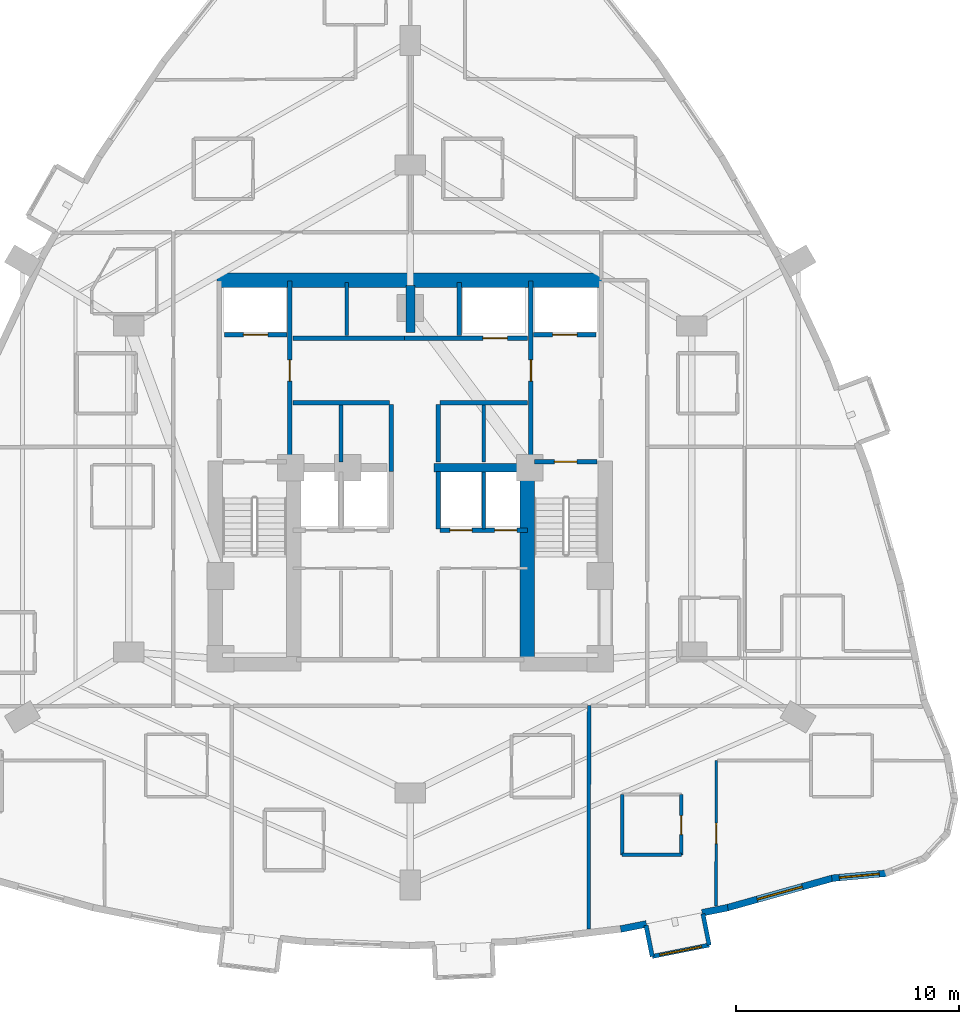
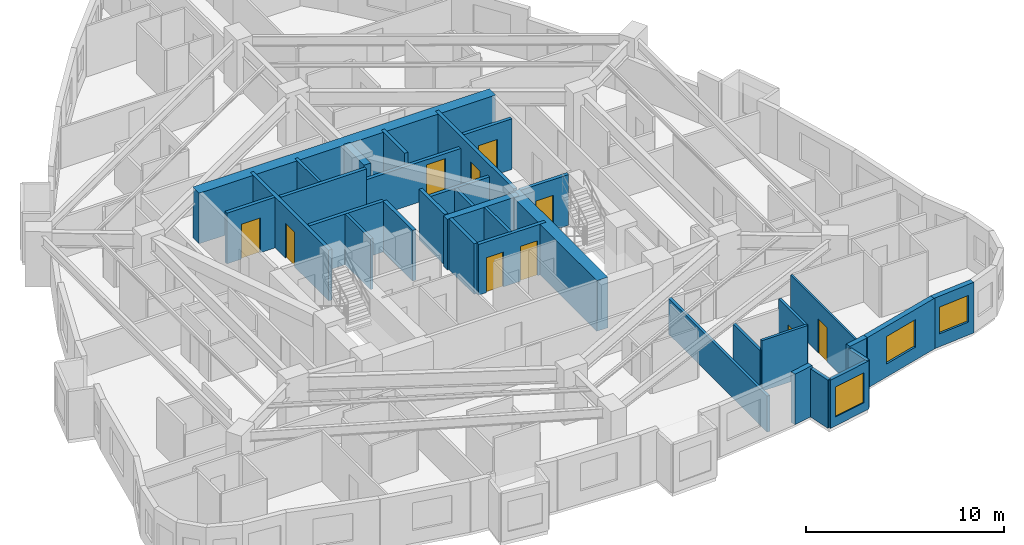
# One storey, part 8 of 13: 34 walls, 10 doors, 3 windows, 13 openings.
"""IFC4 building model written with IfcOpenShell, lengths in metres."""

from ifc_helpers import new_model, si_unit, direction, frame, frame_2d, origin, place, context, subcontext, project, spatial, rectangle, extrude, material, layer, layer_set, type_object, element, fill, save


model = new_model("IFC4")

# Units and contexts
model_context = context("Model", 3, precision=1e-05, world=origin(), true_north=direction((0.0, 1.0)))
body_context = subcontext(model_context, "Body", "Model", "MODEL_VIEW")
ifc_project = project(units=[si_unit("LENGTHUNIT", "METRE"), si_unit("AREAUNIT", "SQUARE_METRE"), si_unit("VOLUMEUNIT", "CUBIC_METRE"), si_unit("PLANEANGLEUNIT", "RADIAN"), si_unit("MASSUNIT", "GRAM", prefix="KILO")], contexts=[model_context])

# Site, building, storey
site_placement = place(None, origin())
site = spatial("IfcSite", under=ifc_project, at=site_placement, CompositionType="ELEMENT")
building_placement = place(site_placement, origin())
building = spatial("IfcBuilding", under=site, at=building_placement, Name="Miruveldt Soraemaru", CompositionType="ELEMENT")
storey_placement = place(building_placement, frame((0.0, 0.0, 70.0)))
storey = spatial("IfcBuildingStorey", under=building, at=storey_placement, Name="L19", CompositionType="ELEMENT", Elevation=70.0)

# Walls
ifc_material_1 = material(Name="White powder-coated aluminium EN AW-6060 T6", Category="aluminium")
ifc_layer_1 = layer(ifc_material_1, 0.18994140625, Name="White powder-coated aluminium EN AW-6060 T6", Category="aluminium")
ifc_layer_set_1 = layer_set([ifc_layer_1], Name="White powder-coated aluminium EN AW-6060 T6")
wall_type_1 = type_object("IfcWallType", Name="WALL-BAY-ALU190", PredefinedType="SOLIDWALL", material=ifc_layer_set_1)
for number, where, z_axis, x_axis, name in (
    (1, (54.548583984375, 23.576171875, 0.0), (0.0, 0.0, 1.0), (0.196149079112, -0.980574086321, 0.0), "L19 Bay Window Side Cheek 5L"),
    (2, (57.377685546875, 22.688720703125, 0.0), (0.0, 0.0, 1.0), (-0.195984352603, 0.980607022989, 0.0), "L19 Bay Window Side Cheek 5R"),
):
    element("IfcWall", number, at=place(storey_placement, frame(where, z_axis=z_axis, x_axis=x_axis)), inside=storey, type_object=wall_type_1, Name=name, PredefinedType="SOLIDWALL", context=body_context, shape_type="SweptSolid", body=[
        extrude(rectangle(XDim=1.425048828125, YDim=0.18994140625, at=frame_2d((0.71240234375, 0.0))), origin(), (0.0, 0.0, 1.0), 2.97509765625),
    ])

# Wall, opening, window
wall_1_placement = place(storey_placement, frame((54.828125, 22.1787109375, 0.0), z_axis=(0.0, 0.0, 1.0), x_axis=(0.980573452128, 0.196152249497, 0.0)))
wall_1 = element("IfcWall", 3, at=wall_1_placement, inside=storey, type_object=wall_type_1, Name="L19 Bay Window Front Frame 5", PredefinedType="SOLIDWALL", context=body_context, shape_type="SweptSolid", body=[
    extrude(rectangle(XDim=2.60009765625, YDim=0.18994140625, at=frame_2d((1.300048828125, 0.0))), origin(), (0.0, 0.0, 1.0), 2.97509765625),
])
opening_1_placement = place(wall_1_placement, frame((0.35009765625, 0.0, 0.550048828125)))
opening_1 = element("IfcOpeningElement", 4, at=opening_1_placement, cuts=wall_1, Name="Opening WN-6", PredefinedType="OPENING", context=body_context, shape_type="SweptSolid", body=[
    extrude(rectangle(XDim=1.89990234375, YDim=1.85009765625, at=frame_2d((0.949951171875, 0.925048828125))), frame((0.0, 0.10498046875, 0.0), z_axis=(0.0, -1.0, 0.0), x_axis=(1.0, 0.0, 0.0)), (0.0, 0.0, 1.0), 0.2099609375),
])
ifc_material_2 = material(Name="Triple low-e insulated glazing", Category="glass")
window_type_1 = type_object("IfcWindowType", Name="WIN-BAYW-1900x1850", PartitioningType="SINGLE_PANEL", PredefinedType="WINDOW", material=ifc_material_2)
window_1_placement = place(opening_1_placement, origin())
window_1 = element("IfcWindow", 5, at=window_1_placement, inside=storey, type_object=window_type_1, Name="L19 Projecting Bay Window 5", OverallHeight=1.85009765625, OverallWidth=1.89990234375, PartitioningType="SINGLE_PANEL", PredefinedType="WINDOW", context=body_context, shape_type="SweptSolid", body=[
    extrude(rectangle(XDim=1.89990234375, YDim=1.85009765625, at=frame_2d((0.949951171875, 0.925048828125))), frame((0.0, 0.030029296875, 0.0), z_axis=(0.0, -1.0, 0.0), x_axis=(1.0, 0.0, 0.0)), (0.0, 0.0, 1.0), 0.06005859375),
])
fill(opening_1, window_1)

# Walls
ifc_material_3 = material(Name="Concrete C70/85 (70 MPa)", Category="concrete")
ifc_layer_2 = layer(ifc_material_3, 0.5, Name="Concrete C70/85 (70 MPa)", Category="concrete")
ifc_layer_set_2 = layer_set([ifc_layer_2], Name="Concrete C70/85 (70 MPa)")
wall_type_2 = type_object("IfcWallType", Name="WALL-BW-500", PredefinedType="SHEAR", material=ifc_layer_set_2)
wall_2_placement = place(storey_placement, frame((44.0, 50.10009765625, 0.0), z_axis=(0.0, 0.0, 1.0), x_axis=(0.0, 1.0, 0.0)))
element("IfcWall", 6, at=wall_2_placement, inside=storey, type_object=wall_type_2, Name="L19 Core Buttress Shear Wall BN", PredefinedType="SHEAR", context=body_context, shape_type="SweptSolid", body=[
    extrude(rectangle(XDim=2.099853515625, YDim=0.39990234375, at=frame_2d((1.0498046875, 0.0))), origin(), (0.0, 0.0, 1.0), 3.125),
])
wall_3_placement = place(storey_placement, frame((45.050048828125, 44.050048828125, 0.0), z_axis=(0.0, 0.0, 1.0), x_axis=(1.0, 0.0, 0.0)))
element("IfcWall", 7, at=wall_3_placement, inside=storey, type_object=wall_type_2, Name="L19 Core Buttress Shear Wall BE", PredefinedType="SHEAR", context=body_context, shape_type="SweptSolid", body=[
    extrude(rectangle(XDim=4.199951171875, YDim=0.39990234375, at=frame_2d((2.10009765625, 0.0))), origin(), (0.0, 0.0, 1.0), 3.125),
])
ifc_material_4 = material(Name="Concrete C80/95 (80 MPa)", Category="concrete")
ifc_layer_3 = layer(ifc_material_4, 0.64990234375, Name="Concrete C80/95 (80 MPa)", Category="concrete")
ifc_layer_set_3 = layer_set([ifc_layer_3], Name="Concrete C80/95 (80 MPa)")
wall_type_3 = type_object("IfcWallType", Name="WALL-CW-650", PredefinedType="SHEAR", material=ifc_layer_set_3)
wall_4_placement = place(storey_placement, frame((35.35009765625, 52.449951171875, 0.0), z_axis=(0.0, 0.0, 1.0), x_axis=(1.0, 0.0, 0.0)))
element("IfcWall", 8, at=wall_4_placement, inside=storey, type_object=wall_type_3, Name="L19 Central Core Shear Wall N", PredefinedType="SHEAR", context=body_context, shape_type="SweptSolid", body=[
    extrude(rectangle(XDim=17.2998046875, YDim=0.64990234375, at=frame_2d((8.64990234375, 0.0))), origin(), (0.0, 0.0, 1.0), 3.125),
])
wall_5_placement = place(storey_placement, frame((49.22509765625, 35.39990234375, 0.0), z_axis=(0.0, 0.0, 1.0), x_axis=(0.0, 1.0, 0.0)))
element("IfcWall", 9, at=wall_5_placement, inside=storey, type_object=wall_type_3, Name="L19 Central Core Shear Wall SE-INT", PredefinedType="SHEAR", context=body_context, shape_type="SweptSolid", body=[
    extrude(rectangle(XDim=8.9501953125, YDim=0.64990234375, at=frame_2d((4.47509765625, 0.0))), origin(), (0.0, 0.0, 1.0), 3.125),
])
ifc_material_5 = material(Name="Precast concrete C45/55 (45 MPa)", Category="concrete")
ifc_layer_4 = layer(ifc_material_5, 0.300048828125, Name="Precast concrete C45/55 (45 MPa)", Category="concrete")
ifc_layer_set_4 = layer_set([ifc_layer_4], Name="Precast concrete C45/55 (45 MPa)")
wall_type_4 = type_object("IfcWallType", Name="WALL-EXT-PC300", PredefinedType="SOLIDWALL", material=ifc_layer_set_4)
for number, where, z_axis, x_axis, name in (
    (10, (53.416015625, 23.405517578125, 0.0), (0.0, 0.0, 1.0), (0.980548675022, 0.196276070657, 0.0), "L19 Precast Pier Wall 27A"),
    (11, (57.05810546875, 24.134033203125, 0.0), (0.0, 0.0, 1.0), (0.980548675022, 0.196276070657, 0.0), "L19 Precast Pier Wall 27B"),
):
    element("IfcWall", number, at=place(storey_placement, frame(where, z_axis=z_axis, x_axis=x_axis)), inside=storey, type_object=wall_type_4, Name=name, PredefinedType="SOLIDWALL", context=body_context, shape_type="SweptSolid", body=[
        extrude(rectangle(XDim=1.17431640625, YDim=0.300048828125, at=frame_2d((0.587158203125, 0.0))), origin(), (0.0, 0.0, 1.0), 3.125),
    ])

# Wall, opening, window
wall_6_placement = place(storey_placement, frame((58.1416015625, 24.34814453125, 0.0), z_axis=(0.0, 0.0, 1.0), x_axis=(0.962969114378, 0.269611729629, 0.0)))
wall_6 = element("IfcWall", 12, at=wall_6_placement, inside=storey, type_object=wall_type_4, Name="L19 Precast Concrete Facade Wall 28", PredefinedType="SOLIDWALL", context=body_context, shape_type="SweptSolid", body=[
    extrude(rectangle(XDim=4.976806640625, YDim=0.300048828125, at=frame_2d((2.48828125, 0.0))), origin(), (0.0, 0.0, 1.0), 3.125),
])
opening_2_placement = place(wall_6_placement, frame((1.43798828125, 0.0, 0.800048828125)))
opening_2 = element("IfcOpeningElement", 13, at=opening_2_placement, cuts=wall_6, Name="Opening WN-1", PredefinedType="OPENING", context=body_context, shape_type="SweptSolid", body=[
    extrude(rectangle(XDim=2.10009765625, YDim=1.699951171875, at=frame_2d((1.050048828125, 0.85009765625))), frame((0.0, 0.16015625, 0.0), z_axis=(0.0, -1.0, 0.0), x_axis=(1.0, 0.0, 0.0)), (0.0, 0.0, 1.0), 0.320068359375),
])
window_type_2 = type_object("IfcWindowType", Name="WIN-PUNCH-2100x1700", PartitioningType="SINGLE_PANEL", PredefinedType="WINDOW", material=ifc_material_2)
window_2_placement = place(opening_2_placement, origin())
window_2 = element("IfcWindow", 14, at=window_2_placement, inside=storey, type_object=window_type_2, Name="L19 Punched Triple-Glazed Window 28.1", OverallHeight=1.699951171875, OverallWidth=2.10009765625, PartitioningType="SINGLE_PANEL", PredefinedType="WINDOW", context=body_context, shape_type="SweptSolid", body=[
    extrude(rectangle(XDim=2.10009765625, YDim=1.699951171875, at=frame_2d((1.050048828125, 0.85009765625))), frame((0.0, 0.030029296875, 0.0), z_axis=(0.0, -1.0, 0.0), x_axis=(1.0, 0.0, 0.0)), (0.0, 0.0, 1.0), 0.06005859375),
])
fill(opening_2, window_2)

wall_7_placement = place(storey_placement, frame((62.865478515625, 25.677490234375, 0.0), z_axis=(0.0, 0.0, 1.0), x_axis=(0.995765843862, 0.091925971292, 0.0)))
wall_7 = element("IfcWall", 15, at=wall_7_placement, inside=storey, type_object=wall_type_4, Name="L19 Precast Concrete Facade Wall 29", PredefinedType="SOLIDWALL", context=body_context, shape_type="SweptSolid", body=[
    extrude(rectangle(XDim=2.469970703125, YDim=0.300048828125, at=frame_2d((1.23486328125, 0.0))), origin(), (0.0, 0.0, 1.0), 3.125),
])
opening_3_placement = place(wall_7_placement, frame((0.3349609375, 0.0, 0.800048828125)))
opening_3 = element("IfcOpeningElement", 16, at=opening_3_placement, cuts=wall_7, Name="Opening WN-2", PredefinedType="OPENING", context=body_context, shape_type="SweptSolid", body=[
    extrude(rectangle(XDim=1.800048828125, YDim=1.64990234375, at=frame_2d((0.89990234375, 0.824951171875))), frame((0.0, 0.16015625, 0.0), z_axis=(0.0, -1.0, 0.0), x_axis=(1.0, 0.0, 0.0)), (0.0, 0.0, 1.0), 0.320068359375),
])
window_type_3 = type_object("IfcWindowType", Name="WIN-PUNCH-1800x1650", PartitioningType="SINGLE_PANEL", PredefinedType="WINDOW", material=ifc_material_2)
window_3_placement = place(opening_3_placement, origin())
window_3 = element("IfcWindow", 17, at=window_3_placement, inside=storey, type_object=window_type_3, Name="L19 Punched Triple-Glazed Window 29.1", OverallHeight=1.64990234375, OverallWidth=1.800048828125, PartitioningType="SINGLE_PANEL", PredefinedType="WINDOW", context=body_context, shape_type="SweptSolid", body=[
    extrude(rectangle(XDim=1.800048828125, YDim=1.64990234375, at=frame_2d((0.89990234375, 0.824951171875))), frame((0.0, 0.030029296875, 0.0), z_axis=(0.0, -1.0, 0.0), x_axis=(1.0, 0.0, 0.0)), (0.0, 0.0, 1.0), 0.06005859375),
])
fill(opening_3, window_3)

# Wall, opening, door
ifc_material_6 = material(Name="Gypsum plasterboard lining", Category="gypsum")
ifc_layer_5 = layer(ifc_material_6, 0.1201171875, Name="Gypsum plasterboard lining", Category="gypsum")
ifc_layer_set_5 = layer_set([ifc_layer_5], Name="Gypsum plasterboard lining")
wall_type_5 = type_object("IfcWallType", Name="WALL-INT-P120", PredefinedType="PARTITIONING", material=ifc_layer_set_5)
wall_8_placement = place(storey_placement, frame((57.680908203125, 24.427001953125, 0.0), z_axis=(0.0, 0.0, 1.0), x_axis=(0.002619947592, 0.999996567931, 0.0)))
wall_8 = element("IfcWall", 18, at=wall_8_placement, inside=storey, type_object=wall_type_5, Name="L19 Partition Wall 109", PredefinedType="PARTITIONING", context=body_context, shape_type="SweptSolid", body=[
    extrude(rectangle(XDim=6.52294921875, YDim=0.1201171875, at=frame_2d((3.261474609375, 0.0))), origin(), (0.0, 0.0, 1.0), 3.125),
])
opening_4_placement = place(wall_8_placement, frame((2.802001953125, 0.0, 0.0)))
opening_4 = element("IfcOpeningElement", 19, at=opening_4_placement, cuts=wall_8, Name="Opening D3A", PredefinedType="OPENING", context=body_context, shape_type="SweptSolid", body=[
    extrude(rectangle(XDim=0.919921875, YDim=2.10009765625, at=frame_2d((0.4599609375, 1.050048828125))), frame((0.0, 0.070068359375, 0.0), z_axis=(0.0, -1.0, 0.0), x_axis=(1.0, 0.0, 0.0)), (0.0, 0.0, 1.0), 0.14013671875),
])
ifc_material_7 = material(Name="Anodised aluminium EN AW-6063 T6", Category="aluminium")
door_type_1 = type_object("IfcDoorType", Name="DOOR-INT-920", OperationType="NOTDEFINED", PredefinedType="DOOR", material=ifc_material_7)
door_1_placement = place(opening_4_placement, origin())
door_1 = element("IfcDoor", 20, at=door_1_placement, inside=storey, type_object=door_type_1, Name="L19 Unit 1909 BD1 Door", OperationType="SINGLE_SWING_LEFT", OverallHeight=2.10009765625, OverallWidth=0.919921875, PredefinedType="DOOR", context=body_context, shape_type="SweptSolid", body=[
    extrude(rectangle(XDim=0.919921875, YDim=2.10009765625, at=frame_2d((0.4599609375, 1.050048828125))), frame((0.0, 0.02490234375, 0.0), z_axis=(0.0, -1.0, 0.0), x_axis=(1.0, 0.0, 0.0)), (0.0, 0.0, 1.0), 0.050048828125),
])
fill(opening_4, door_1)

ifc_layer_6 = layer(ifc_material_6, 0.14990234375, Name="Gypsum plasterboard lining", Category="gypsum")
ifc_layer_set_6 = layer_set([ifc_layer_6], Name="Gypsum plasterboard lining")
wall_type_6 = type_object("IfcWallType", Name="WALL-INT-PLUMB", PredefinedType="PLUMBINGWALL", material=ifc_layer_set_6)
wall_9_placement = place(storey_placement, frame((56.1298828125, 26.72705078125, 0.0), z_axis=(0.0, 0.0, 1.0), x_axis=(0.0, 1.0, 0.0)))
wall_9 = element("IfcWall", 21, at=wall_9_placement, inside=storey, type_object=wall_type_6, Name="L19 Partition Wall 102", PredefinedType="PLUMBINGWALL", context=body_context, shape_type="SweptSolid", body=[
    extrude(rectangle(XDim=2.699951171875, YDim=0.14990234375, at=frame_2d((1.35009765625, 0.0))), origin(), (0.0, 0.0, 1.0), 3.125),
])
opening_5_placement = place(wall_9_placement, frame((0.909912109375, 0.0, 0.0)))
opening_5 = element("IfcOpeningElement", 22, at=opening_5_placement, cuts=wall_9, Name="Opening FD3", PredefinedType="OPENING", context=body_context, shape_type="SweptSolid", body=[
    extrude(rectangle(XDim=0.85009765625, YDim=2.10009765625, at=frame_2d((0.425048828125, 1.050048828125))), frame((0.0, 0.0849609375, 0.0), z_axis=(0.0, -1.0, 0.0), x_axis=(1.0, 0.0, 0.0)), (0.0, 0.0, 1.0), 0.169921875),
])
door_type_2 = type_object("IfcDoorType", Name="DOOR-FD3-850", OperationType="NOTDEFINED", PredefinedType="DOOR", material=ifc_material_7)
door_2_placement = place(opening_5_placement, origin())
door_2 = element("IfcDoor", 23, at=door_2_placement, inside=storey, type_object=door_type_2, Name="L19 Unit 1909 BTH Door", OperationType="SINGLE_SWING_LEFT", OverallHeight=2.10009765625, OverallWidth=0.85009765625, PredefinedType="DOOR", context=body_context, shape_type="SweptSolid", body=[
    extrude(rectangle(XDim=0.85009765625, YDim=2.10009765625, at=frame_2d((0.425048828125, 1.050048828125))), frame((0.0, 0.02490234375, 0.0), z_axis=(0.0, -1.0, 0.0), x_axis=(1.0, 0.0, 0.0)), (0.0, 0.0, 1.0), 0.050048828125),
])
fill(opening_5, door_2)

# Walls
wall_10_placement = place(storey_placement, frame((53.47998046875, 29.427001953125, 0.0), z_axis=(0.0, 0.0, 1.0), x_axis=(0.0, -1.0, 0.0)))
element("IfcWall", 24, at=wall_10_placement, inside=storey, type_object=wall_type_6, Name="L19 Partition Wall 104", PredefinedType="PLUMBINGWALL", context=body_context, shape_type="SweptSolid", body=[
    extrude(rectangle(XDim=2.699951171875, YDim=0.14990234375, at=frame_2d((1.35009765625, 0.0))), origin(), (0.0, 0.0, 1.0), 2.512939453125),
])
wall_11_placement = place(storey_placement, frame((53.47998046875, 26.72705078125, 0.0), z_axis=(0.0, 0.0, 1.0), x_axis=(1.0, 0.0, 0.0)))
element("IfcWall", 25, at=wall_11_placement, inside=storey, type_object=wall_type_6, Name="L19 Partition Wall 105", PredefinedType="PLUMBINGWALL", context=body_context, shape_type="SweptSolid", body=[
    extrude(rectangle(XDim=2.64990234375, YDim=0.14990234375, at=frame_2d((1.324951171875, 0.0))), origin(), (0.0, 0.0, 1.0), 3.125),
])
ifc_material_8 = material(Name="Concrete C40/50 (40 MPa)", Category="concrete")
ifc_layer_7 = layer(ifc_material_8, 0.159912109375, Name="Concrete C40/50 (40 MPa)", Category="concrete")
ifc_layer_set_7 = layer_set([ifc_layer_7], Name="Concrete C40/50 (40 MPa)")
wall_type_7 = type_object("IfcWallType", Name="WALL-INT-RC160", PredefinedType="SOLIDWALL", material=ifc_layer_set_7)
wall_12_placement = place(storey_placement, frame((51.989990234375, 23.403076171875, 0.0), z_axis=(0.0, 0.0, 1.0), x_axis=(0.001001293854, 0.999999498705, 0.0)))
element("IfcWall", 26, at=wall_12_placement, inside=storey, type_object=wall_type_7, Name="L19 Partition Wall 101", PredefinedType="SOLIDWALL", context=body_context, shape_type="SweptSolid", body=[
    extrude(rectangle(XDim=9.996826171875, YDim=0.159912109375, at=frame_2d((4.99853515625, 0.0))), origin(), (0.0, 0.0, 1.0), 2.219970703125),
])
wall_13_placement = place(storey_placement, frame((40.89990234375, 44.300048828125, 0.0), z_axis=(0.0, 0.0, 1.0), x_axis=(0.0, 1.0, 0.0)))
element("IfcWall", 27, at=wall_13_placement, inside=storey, type_object=wall_type_7, Name="L19 Core Compartment Wall PLM-DW", PredefinedType="SOLIDWALL", context=body_context, shape_type="SweptSolid", body=[
    extrude(rectangle(XDim=2.550048828125, YDim=0.159912109375, at=frame_2d((1.27490234375, 0.0))), origin(), (0.0, 0.0, 1.0), 3.125),
])
wall_14_placement = place(storey_placement, frame((47.280029296875, 44.300048828125, 0.0), z_axis=(0.0, 0.0, 1.0), x_axis=(0.0, 1.0, 0.0)))
element("IfcWall", 28, at=wall_14_placement, inside=storey, type_object=wall_type_7, Name="L19 Core Compartment Wall PLM-DE", PredefinedType="SOLIDWALL", context=body_context, shape_type="SweptSolid", body=[
    extrude(rectangle(XDim=2.550048828125, YDim=0.159912109375, at=frame_2d((1.27490234375, 0.0))), origin(), (0.0, 0.0, 1.0), 2.462890625),
])
wall_15_placement = place(storey_placement, frame((47.280029296875, 41.320068359375, 0.0), z_axis=(0.0, 0.0, 1.0), x_axis=(0.0, 1.0, 0.0)))
element("IfcWall", 29, at=wall_15_placement, inside=storey, type_object=wall_type_7, Name="L19 Core Compartment Wall PLL-DE", PredefinedType="SOLIDWALL", context=body_context, shape_type="SweptSolid", body=[
    extrude(rectangle(XDim=2.530029296875, YDim=0.159912109375, at=frame_2d((1.26513671875, 0.0))), origin(), (0.0, 0.0, 1.0), 3.125),
])
wall_16_placement = place(storey_placement, frame((41.14990234375, 49.97998046875, 0.0), z_axis=(0.0, 0.0, 1.0), x_axis=(0.0, 1.0, 0.0)))
element("IfcWall", 30, at=wall_16_placement, inside=storey, type_object=wall_type_7, Name="L19 Core Compartment Wall PLH-DIV1", PredefinedType="SOLIDWALL", context=body_context, shape_type="SweptSolid", body=[
    extrude(rectangle(XDim=2.3701171875, YDim=0.159912109375, at=frame_2d((1.18505859375, 0.0))), origin(), (0.0, 0.0, 1.0), 3.125),
])

# Wall, opening, door
ifc_layer_8 = layer(ifc_material_8, 0.199951171875, Name="Concrete C40/50 (40 MPa)", Category="concrete")
ifc_layer_set_8 = layer_set([ifc_layer_8], Name="Concrete C40/50 (40 MPa)")
wall_type_8 = type_object("IfcWallType", Name="WALL-INT-RC200", PredefinedType="SOLIDWALL", material=ifc_layer_set_8)
wall_17_placement = place(storey_placement, frame((38.60009765625, 44.5, 0.0), z_axis=(0.0, 0.0, 1.0), x_axis=(0.0, 1.0, 0.0)))
wall_17 = element("IfcWall", 31, at=wall_17_placement, inside=storey, type_object=wall_type_8, Name="L19 Core Compartment Wall FFW-IN", PredefinedType="SOLIDWALL", context=body_context, shape_type="SweptSolid", body=[
    extrude(rectangle(XDim=7.919921875, YDim=0.199951171875, at=frame_2d((3.9599609375, 0.0))), origin(), (0.0, 0.0, 1.0), 3.125),
])
opening_6_placement = place(wall_17_placement, frame((3.425048828125, 0.0, 0.0)))
opening_6 = element("IfcOpeningElement", 32, at=opening_6_placement, cuts=wall_17, Name="Opening FD2", PredefinedType="OPENING", context=body_context, shape_type="SweptSolid", body=[
    extrude(rectangle(XDim=0.949951171875, YDim=2.14990234375, at=frame_2d((0.47509765625, 1.074951171875))), frame((0.0, 0.10986328125, 0.0), z_axis=(0.0, -1.0, 0.0), x_axis=(1.0, 0.0, 0.0)), (0.0, 0.0, 1.0), 0.219970703125),
])
door_type_3 = type_object("IfcDoorType", Name="DOOR-FD2-950", OperationType="NOTDEFINED", PredefinedType="DOOR", material=ifc_material_7)
door_3_placement = place(opening_6_placement, frame((0.949951171875, 0.0, 0.0), z_axis=(0.0, 0.0, 1.0), x_axis=(-1.0, 0.0, 0.0)))
door_3 = element("IfcDoor", 33, at=door_3_placement, inside=storey, type_object=door_type_3, Name="L19 Lift Lobby to West Fire Lobby Door", OperationType="SINGLE_SWING_RIGHT", OverallHeight=2.14990234375, OverallWidth=0.949951171875, PredefinedType="DOOR", context=body_context, shape_type="SweptSolid", body=[
    extrude(rectangle(XDim=0.949951171875, YDim=2.14990234375, at=frame_2d((0.47509765625, 1.074951171875))), frame((0.0, 0.02490234375, 0.0), z_axis=(0.0, -1.0, 0.0), x_axis=(1.0, 0.0, 0.0)), (0.0, 0.0, 1.0), 0.050048828125),
])
fill(opening_6, door_3)

wall_18_placement = place(storey_placement, frame((49.39990234375, 44.5, 0.0), z_axis=(0.0, 0.0, 1.0), x_axis=(0.0, 1.0, 0.0)))
wall_18 = element("IfcWall", 34, at=wall_18_placement, inside=storey, type_object=wall_type_8, Name="L19 Core Compartment Wall FFE-IN", PredefinedType="SOLIDWALL", context=body_context, shape_type="SweptSolid", body=[
    extrude(rectangle(XDim=7.919921875, YDim=0.199951171875, at=frame_2d((3.9599609375, 0.0))), origin(), (0.0, 0.0, 1.0), 3.125),
])
opening_7_placement = place(wall_18_placement, frame((3.425048828125, 0.0, 0.0)))
opening_7 = element("IfcOpeningElement", 35, at=opening_7_placement, cuts=wall_18, Name="Opening FD2", PredefinedType="OPENING", context=body_context, shape_type="SweptSolid", body=[
    extrude(rectangle(XDim=0.949951171875, YDim=2.14990234375, at=frame_2d((0.47509765625, 1.074951171875))), frame((0.0, 0.10986328125, 0.0), z_axis=(0.0, -1.0, 0.0), x_axis=(1.0, 0.0, 0.0)), (0.0, 0.0, 1.0), 0.219970703125),
])
door_4_placement = place(opening_7_placement, origin())
door_4 = element("IfcDoor", 36, at=door_4_placement, inside=storey, type_object=door_type_3, Name="L19 Lift Lobby to East Fire Lobby Door", OperationType="SINGLE_SWING_LEFT", OverallHeight=2.14990234375, OverallWidth=0.949951171875, PredefinedType="DOOR", context=body_context, shape_type="SweptSolid", body=[
    extrude(rectangle(XDim=0.949951171875, YDim=2.14990234375, at=frame_2d((0.47509765625, 1.074951171875))), frame((0.0, 0.02490234375, 0.0), z_axis=(0.0, -1.0, 0.0), x_axis=(1.0, 0.0, 0.0)), (0.0, 0.0, 1.0), 0.050048828125),
])
fill(opening_7, door_4)

wall_19_placement = place(storey_placement, frame((43.75, 49.85009765625, 0.0), z_axis=(0.0, 0.0, 1.0), x_axis=(1.0, 0.0, 0.0)))
wall_19 = element("IfcWall", 37, at=wall_19_placement, inside=storey, type_object=wall_type_8, Name="L19 Core Compartment Wall ROWA-SE", PredefinedType="SOLIDWALL", context=body_context, shape_type="SweptSolid", body=[
    extrude(rectangle(XDim=5.5, YDim=0.199951171875, at=frame_2d((2.75, 0.0))), origin(), (0.0, 0.0, 1.0), 2.462890625),
])
opening_8_placement = place(wall_19_placement, frame((3.5, 0.0, 0.0)))
opening_8 = element("IfcOpeningElement", 38, at=opening_8_placement, cuts=wall_19, Name="Opening LD2", PredefinedType="OPENING", context=body_context, shape_type="SweptSolid", body=[
    extrude(rectangle(XDim=1.10009765625, YDim=2.14990234375, at=frame_2d((0.550048828125, 1.074951171875))), frame((0.0, 0.10986328125, 0.0), z_axis=(0.0, -1.0, 0.0), x_axis=(1.0, 0.0, 0.0)), (0.0, 0.0, 1.0), 0.219970703125),
])
door_type_4 = type_object("IfcDoorType", Name="DOOR-LD2-1100", OperationType="SLIDING_TO_LEFT", PredefinedType="DOOR", material=ifc_material_7)
door_5_placement = place(opening_8_placement, origin())
door_5 = element("IfcDoor", 39, at=door_5_placement, inside=storey, type_object=door_type_4, Name="L19 SL-1 Landing Door", OperationType="SLIDING_TO_LEFT", OverallHeight=2.14990234375, OverallWidth=1.10009765625, PredefinedType="DOOR", context=body_context, shape_type="SweptSolid", body=[
    extrude(rectangle(XDim=1.10009765625, YDim=2.14990234375, at=frame_2d((0.550048828125, 1.074951171875))), frame((0.0, 0.02490234375, 0.0), z_axis=(0.0, -1.0, 0.0), x_axis=(1.0, 0.0, 0.0)), (0.0, 0.0, 1.0), 0.050048828125),
])
fill(opening_8, door_5)

# Wall, openings, doors
wall_20_placement = place(storey_placement, frame((45.320068359375, 41.25, 0.0), z_axis=(0.0, 0.0, 1.0), x_axis=(1.0, 0.0, 0.0)))
wall_20 = element("IfcWall", 40, at=wall_20_placement, inside=storey, type_object=wall_type_8, Name="L19 Core Compartment Wall LBE-S", PredefinedType="SOLIDWALL", context=body_context, shape_type="SweptSolid", body=[
    extrude(rectangle(XDim=3.929931640625, YDim=0.199951171875, at=frame_2d((1.96484375, 0.0))), origin(), (0.0, 0.0, 1.0), 3.125),
])
opening_9_placement = place(wall_20_placement, frame((0.449951171875, 0.0, 0.0)))
opening_9 = element("IfcOpeningElement", 41, at=opening_9_placement, cuts=wall_20, Name="Opening LD1B", PredefinedType="OPENING", context=body_context, shape_type="SweptSolid", body=[
    extrude(rectangle(XDim=1.0, YDim=2.14990234375, at=frame_2d((0.5, 1.074951171875))), frame((0.0, 0.10986328125, 0.0), z_axis=(0.0, -1.0, 0.0), x_axis=(1.0, 0.0, 0.0)), (0.0, 0.0, 1.0), 0.219970703125),
])
opening_10_placement = place(wall_20_placement, frame((2.449951171875, 0.0, 0.0)))
opening_10 = element("IfcOpeningElement", 42, at=opening_10_placement, cuts=wall_20, Name="Opening LD1B", PredefinedType="OPENING", context=body_context, shape_type="SweptSolid", body=[
    extrude(rectangle(XDim=1.0, YDim=2.14990234375, at=frame_2d((0.5, 1.074951171875))), frame((0.0, 0.10986328125, 0.0), z_axis=(0.0, -1.0, 0.0), x_axis=(1.0, 0.0, 0.0)), (0.0, 0.0, 1.0), 0.219970703125),
])
door_type_5 = type_object("IfcDoorType", Name="DOOR-LD1-1000", OperationType="SLIDING_TO_LEFT", PredefinedType="DOOR", material=ifc_material_7)
door_6_placement = place(opening_9_placement, frame((1.0, 0.0, 0.0), z_axis=(0.0, 0.0, 1.0), x_axis=(-1.0, 0.0, 0.0)))
door_6 = element("IfcDoor", 43, at=door_6_placement, inside=storey, type_object=door_type_5, Name="L19 PL-L3 Landing Door", OperationType="SLIDING_TO_LEFT", OverallHeight=2.14990234375, OverallWidth=1.0, PredefinedType="DOOR", context=body_context, shape_type="SweptSolid", body=[
    extrude(rectangle(XDim=1.0, YDim=2.14990234375, at=frame_2d((0.5, 1.074951171875))), frame((0.0, 0.02490234375, 0.0), z_axis=(0.0, -1.0, 0.0), x_axis=(1.0, 0.0, 0.0)), (0.0, 0.0, 1.0), 0.050048828125),
])
fill(opening_9, door_6)
door_7_placement = place(opening_10_placement, frame((1.0, 0.0, 0.0), z_axis=(0.0, 0.0, 1.0), x_axis=(-1.0, 0.0, 0.0)))
door_7 = element("IfcDoor", 44, at=door_7_placement, inside=storey, type_object=door_type_5, Name="L19 PL-L4 Landing Door", OperationType="SLIDING_TO_LEFT", OverallHeight=2.14990234375, OverallWidth=1.0, PredefinedType="DOOR", context=body_context, shape_type="SweptSolid", body=[
    extrude(rectangle(XDim=1.0, YDim=2.14990234375, at=frame_2d((0.5, 1.074951171875))), frame((0.0, 0.02490234375, 0.0), z_axis=(0.0, -1.0, 0.0), x_axis=(1.0, 0.0, 0.0)), (0.0, 0.0, 1.0), 0.050048828125),
])
fill(opening_10, door_7)

# Wall, opening, door
wall_21_placement = place(storey_placement, frame((49.550048828125, 44.320068359375, 0.0), z_axis=(0.0, 0.0, 1.0), x_axis=(1.0, 0.0, 0.0)))
wall_21 = element("IfcWall", 45, at=wall_21_placement, inside=storey, type_object=wall_type_8, Name="L19 Core Compartment Wall ST2-N", PredefinedType="SOLIDWALL", context=body_context, shape_type="SweptSolid", body=[
    extrude(rectangle(XDim=2.800048828125, YDim=0.199951171875, at=frame_2d((1.39990234375, 0.0))), origin(), (0.0, 0.0, 1.0), 3.125),
])
opening_11_placement = place(wall_21_placement, frame((0.89990234375, 0.0, 0.0)))
opening_11 = element("IfcOpeningElement", 46, at=opening_11_placement, cuts=wall_21, Name="Opening FD1", PredefinedType="OPENING", context=body_context, shape_type="SweptSolid", body=[
    extrude(rectangle(XDim=1.0, YDim=2.14990234375, at=frame_2d((0.5, 1.074951171875))), frame((0.0, 0.10986328125, 0.0), z_axis=(0.0, -1.0, 0.0), x_axis=(1.0, 0.0, 0.0)), (0.0, 0.0, 1.0), 0.219970703125),
])
door_type_6 = type_object("IfcDoorType", Name="DOOR-FD1-1000", OperationType="NOTDEFINED", PredefinedType="DOOR", material=ifc_material_7)
door_8_placement = place(opening_11_placement, frame((1.0, 0.0, 0.0), z_axis=(0.0, 0.0, 1.0), x_axis=(-1.0, 0.0, 0.0)))
door_8 = element("IfcDoor", 47, at=door_8_placement, inside=storey, type_object=door_type_6, Name="L19 Stair ST-2 Fire Door", OperationType="SINGLE_SWING_RIGHT", OverallHeight=2.14990234375, OverallWidth=1.0, PredefinedType="DOOR", context=body_context, shape_type="SweptSolid", body=[
    extrude(rectangle(XDim=1.0, YDim=2.14990234375, at=frame_2d((0.5, 1.074951171875))), frame((0.0, 0.02490234375, 0.0), z_axis=(0.0, -1.0, 0.0), x_axis=(1.0, 0.0, 0.0)), (0.0, 0.0, 1.0), 0.050048828125),
])
fill(opening_11, door_8)

wall_22_placement = place(storey_placement, frame((35.679931640625, 50.0, 0.0), z_axis=(0.0, 0.0, 1.0), x_axis=(1.0, 0.0, 0.0)))
wall_22 = element("IfcWall", 48, at=wall_22_placement, inside=storey, type_object=wall_type_8, Name="L19 Core Compartment Wall FFL1-S", PredefinedType="SOLIDWALL", context=body_context, shape_type="SweptSolid", body=[
    extrude(rectangle(XDim=2.800048828125, YDim=0.199951171875, at=frame_2d((1.39990234375, 0.0))), origin(), (0.0, 0.0, 1.0), 3.125),
])
opening_12_placement = place(wall_22_placement, frame((0.85009765625, 0.0, 0.0)))
opening_12 = element("IfcOpeningElement", 49, at=opening_12_placement, cuts=wall_22, Name="Opening LD2", PredefinedType="OPENING", context=body_context, shape_type="SweptSolid", body=[
    extrude(rectangle(XDim=1.10009765625, YDim=2.14990234375, at=frame_2d((0.550048828125, 1.074951171875))), frame((0.0, 0.10986328125, 0.0), z_axis=(0.0, -1.0, 0.0), x_axis=(1.0, 0.0, 0.0)), (0.0, 0.0, 1.0), 0.219970703125),
])
door_9_placement = place(opening_12_placement, origin())
door_9 = element("IfcDoor", 50, at=door_9_placement, inside=storey, type_object=door_type_4, Name="L19 FFL-1 Landing Door", OperationType="SLIDING_TO_LEFT", OverallHeight=2.14990234375, OverallWidth=1.10009765625, PredefinedType="DOOR", context=body_context, shape_type="SweptSolid", body=[
    extrude(rectangle(XDim=1.10009765625, YDim=2.14990234375, at=frame_2d((0.550048828125, 1.074951171875))), frame((0.0, 0.02490234375, 0.0), z_axis=(0.0, -1.0, 0.0), x_axis=(1.0, 0.0, 0.0)), (0.0, 0.0, 1.0), 0.050048828125),
])
fill(opening_12, door_9)

wall_23_placement = place(storey_placement, frame((49.52001953125, 50.0, 0.0), z_axis=(0.0, 0.0, 1.0), x_axis=(1.0, 0.0, 0.0)))
wall_23 = element("IfcWall", 51, at=wall_23_placement, inside=storey, type_object=wall_type_8, Name="L19 Core Compartment Wall FFL2-S", PredefinedType="SOLIDWALL", context=body_context, shape_type="SweptSolid", body=[
    extrude(rectangle(XDim=2.800048828125, YDim=0.199951171875, at=frame_2d((1.39990234375, 0.0))), origin(), (0.0, 0.0, 1.0), 3.125),
])
opening_13_placement = place(wall_23_placement, frame((0.85009765625, 0.0, 0.0)))
opening_13 = element("IfcOpeningElement", 52, at=opening_13_placement, cuts=wall_23, Name="Opening LD2", PredefinedType="OPENING", context=body_context, shape_type="SweptSolid", body=[
    extrude(rectangle(XDim=1.10009765625, YDim=2.14990234375, at=frame_2d((0.550048828125, 1.074951171875))), frame((0.0, 0.10986328125, 0.0), z_axis=(0.0, -1.0, 0.0), x_axis=(1.0, 0.0, 0.0)), (0.0, 0.0, 1.0), 0.219970703125),
])
door_10_placement = place(opening_13_placement, origin())
door_10 = element("IfcDoor", 53, at=door_10_placement, inside=storey, type_object=door_type_4, Name="L19 FFL-2 Landing Door", OperationType="SLIDING_TO_LEFT", OverallHeight=2.14990234375, OverallWidth=1.10009765625, PredefinedType="DOOR", context=body_context, shape_type="SweptSolid", body=[
    extrude(rectangle(XDim=1.10009765625, YDim=2.14990234375, at=frame_2d((0.550048828125, 1.074951171875))), frame((0.0, 0.02490234375, 0.0), z_axis=(0.0, -1.0, 0.0), x_axis=(1.0, 0.0, 0.0)), (0.0, 0.0, 1.0), 0.050048828125),
])
fill(opening_13, door_10)

# Walls
wall_24_placement = place(storey_placement, frame((38.75, 49.85009765625, 0.0), z_axis=(0.0, 0.0, 1.0), x_axis=(1.0, 0.0, 0.0)))
element("IfcWall", 54, at=wall_24_placement, inside=storey, type_object=wall_type_8, Name="L19 Core Compartment Wall ROWA-SW", PredefinedType="SOLIDWALL", context=body_context, shape_type="SweptSolid", body=[
    extrude(rectangle(XDim=5.0, YDim=0.199951171875, at=frame_2d((2.5, 0.0))), origin(), (0.0, 0.0, 1.0), 3.125),
])
wall_25_placement = place(storey_placement, frame((38.75, 46.949951171875, 0.0), z_axis=(0.0, 0.0, 1.0), x_axis=(1.0, 0.0, 0.0)))
element("IfcWall", 55, at=wall_25_placement, inside=storey, type_object=wall_type_8, Name="L19 Core Compartment Wall MBW-N", PredefinedType="SOLIDWALL", context=body_context, shape_type="SweptSolid", body=[
    extrude(rectangle(XDim=4.330078125, YDim=0.199951171875, at=frame_2d((2.1650390625, 0.0))), origin(), (0.0, 0.0, 1.0), 3.125),
])
wall_26_placement = place(storey_placement, frame((45.320068359375, 46.949951171875, 0.0), z_axis=(0.0, 0.0, 1.0), x_axis=(1.0, 0.0, 0.0)))
element("IfcWall", 56, at=wall_26_placement, inside=storey, type_object=wall_type_8, Name="L19 Core Compartment Wall MBE-N", PredefinedType="SOLIDWALL", context=body_context, shape_type="SweptSolid", body=[
    extrude(rectangle(XDim=3.929931640625, YDim=0.199951171875, at=frame_2d((1.96484375, 0.0))), origin(), (0.0, 0.0, 1.0), 2.462890625),
])
wall_27_placement = place(storey_placement, frame((43.14990234375, 43.8798828125, 0.0), z_axis=(0.0, 0.0, 1.0), x_axis=(0.0, 1.0, 0.0)))
element("IfcWall", 57, at=wall_27_placement, inside=storey, type_object=wall_type_8, Name="L19 Core Compartment Wall SP-WB", PredefinedType="SOLIDWALL", context=body_context, shape_type="SweptSolid", body=[
    extrude(rectangle(XDim=3.0, YDim=0.199951171875, at=frame_2d((1.5, 0.0))), origin(), (0.0, 0.0, 1.0), 3.125),
])
wall_28_placement = place(storey_placement, frame((45.25, 44.300048828125, 0.0), z_axis=(0.0, 0.0, 1.0), x_axis=(0.0, 1.0, 0.0)))
element("IfcWall", 58, at=wall_28_placement, inside=storey, type_object=wall_type_8, Name="L19 Core Compartment Wall SP-EB", PredefinedType="SOLIDWALL", context=body_context, shape_type="SweptSolid", body=[
    extrude(rectangle(XDim=2.579833984375, YDim=0.199951171875, at=frame_2d((1.2900390625, 0.0))), origin(), (0.0, 0.0, 1.0), 3.125),
])
wall_29_placement = place(storey_placement, frame((45.25, 41.320068359375, 0.0), z_axis=(0.0, 0.0, 1.0), x_axis=(0.0, 1.0, 0.0)))
element("IfcWall", 59, at=wall_29_placement, inside=storey, type_object=wall_type_8, Name="L19 Core Compartment Wall SP-EC", PredefinedType="SOLIDWALL", context=body_context, shape_type="SweptSolid", body=[
    extrude(rectangle(XDim=2.559814453125, YDim=0.199951171875, at=frame_2d((1.27978515625, 0.0))), origin(), (0.0, 0.0, 1.0), 3.125),
])
wall_30_placement = place(storey_placement, frame((46.199951171875, 49.97998046875, 0.0), z_axis=(0.0, 0.0, 1.0), x_axis=(0.0, 1.0, 0.0)))
element("IfcWall", 60, at=wall_30_placement, inside=storey, type_object=wall_type_8, Name="L19 Core Compartment Wall PLH-SL-DIV", PredefinedType="SOLIDWALL", context=body_context, shape_type="SweptSolid", body=[
    extrude(rectangle(XDim=2.3701171875, YDim=0.199951171875, at=frame_2d((1.18505859375, 0.0))), origin(), (0.0, 0.0, 1.0), 3.125),
])

save(model, "model.ifc")
